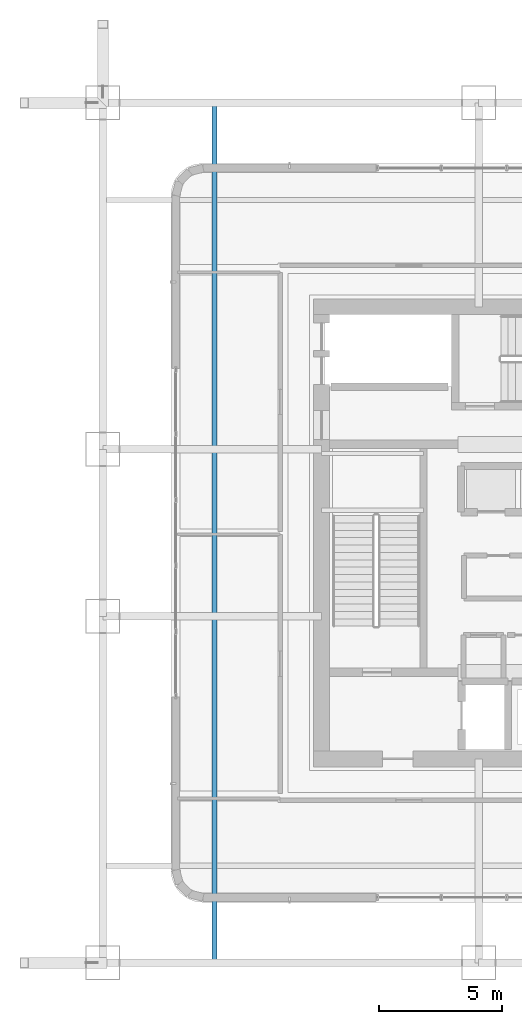
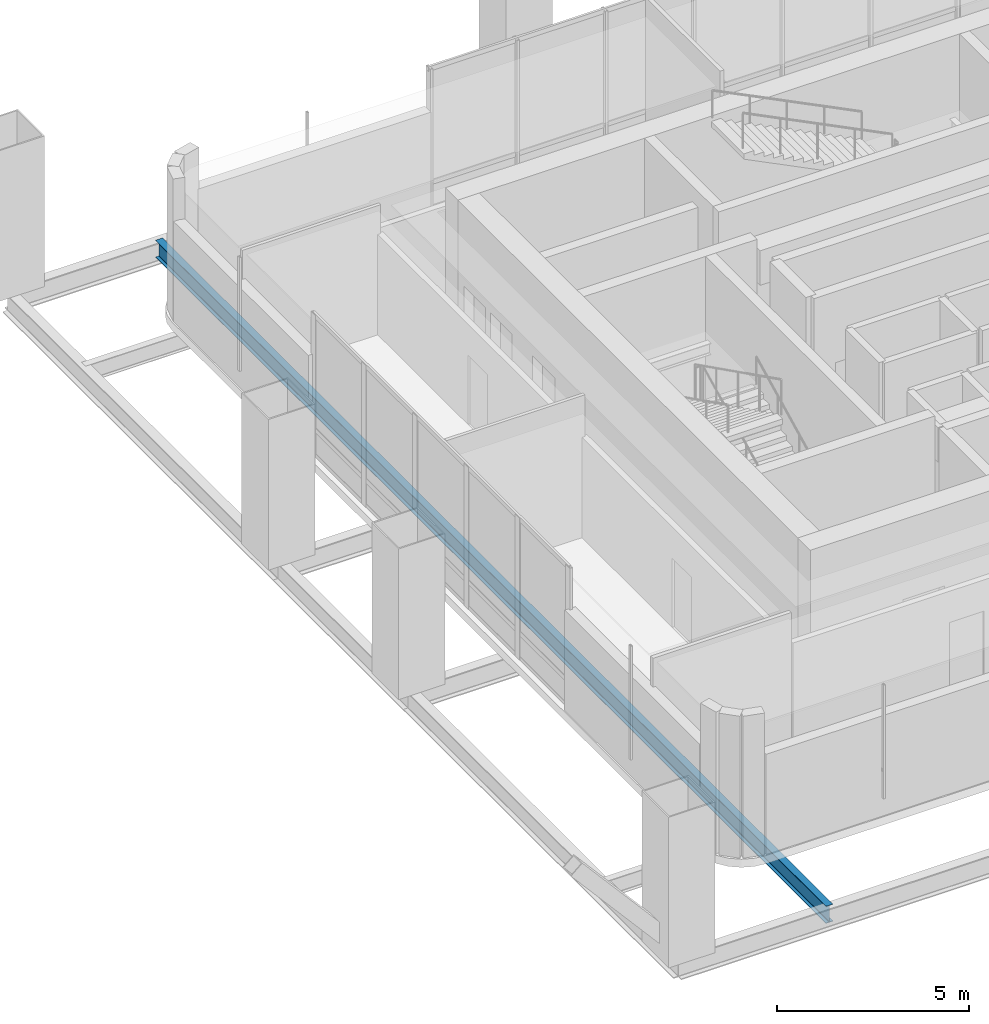
# One storey, part 7 of 30: 1 beam.
"""IFC4 building model written with IfcOpenShell, lengths in metres."""

from ifc_helpers import new_model, si_unit, direction, frame, origin, origin_2d, place, context, subcontext, project, spatial, i_section, extrude, material, material_profile, profile_set, type_object, element, save


model = new_model("IFC4")

# Units and contexts
model_context = context("Model", 3, precision=1e-05, world=origin(), true_north=direction((0.0, 1.0)))
body_context = subcontext(model_context, "Body", "Model", "MODEL_VIEW")
ifc_project = project(units=[si_unit("LENGTHUNIT", "METRE"), si_unit("AREAUNIT", "SQUARE_METRE"), si_unit("VOLUMEUNIT", "CUBIC_METRE"), si_unit("PLANEANGLEUNIT", "RADIAN"), si_unit("MASSUNIT", "GRAM", prefix="KILO")], contexts=[model_context])

# Site, building, storey
site_placement = place(None, origin())
site = spatial("IfcSite", under=ifc_project, at=site_placement, CompositionType="ELEMENT")
building_placement = place(site_placement, origin())
building = spatial("IfcBuilding", under=site, at=building_placement, Name="Punatoya Terracotta Tower", CompositionType="ELEMENT")
storey_placement = place(building_placement, frame((0.0, 0.0, 135.0)))
storey = spatial("IfcBuildingStorey", under=building, at=storey_placement, Name="L31", CompositionType="ELEMENT", Elevation=135.0)

# Beam
ifc_material = material(Name="Steel S355", Category="steel")
ifc_material_profile = material_profile(ifc_material, i_section(OverallWidth=0.2099609375, OverallDepth=0.550048828125, WebThickness=0.010986328125, FlangeThickness=0.01708984375, FilletRadius=0.01806640625, at=origin_2d()))
ifc_profile_set = profile_set([ifc_material_profile], Name="Steel S355")
beam_type = type_object("IfcBeamType", Name="BM-SPN-550", PredefinedType="SPANDREL", material=ifc_profile_set)
beam_placement = place(storey_placement, frame((-14.550048828125, -17.5, -0.534912109375), z_axis=(0.0, 1.0, 0.0), x_axis=(-1.0, 0.0, 0.0)))
element("IfcBeam", 1, at=beam_placement, inside=storey, type_object=beam_type, Name="BM-L31-NCK-W", PredefinedType="SPANDREL", context=body_context, shape_type="SweptSolid", body=[
    extrude(i_section(OverallWidth=0.2099609375, OverallDepth=0.550048828125, WebThickness=0.010986328125, FlangeThickness=0.01708984375, FilletRadius=0.01806640625, at=origin_2d()), origin(), (0.0, 0.0, 1.0), 35.0),
])

save(model, "model.ifc")
